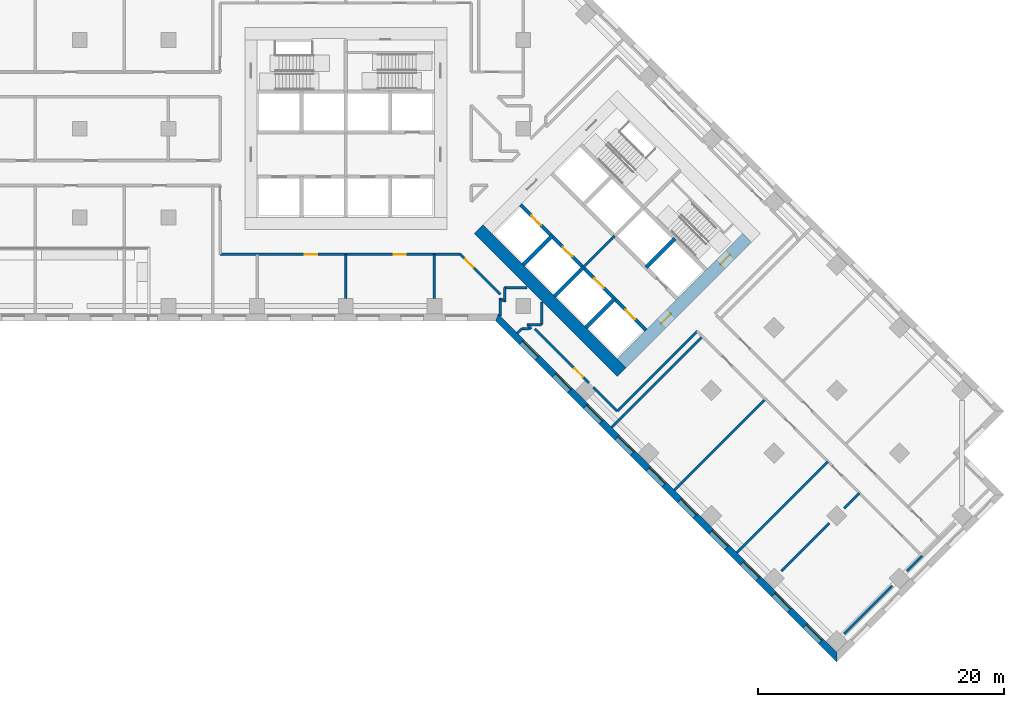
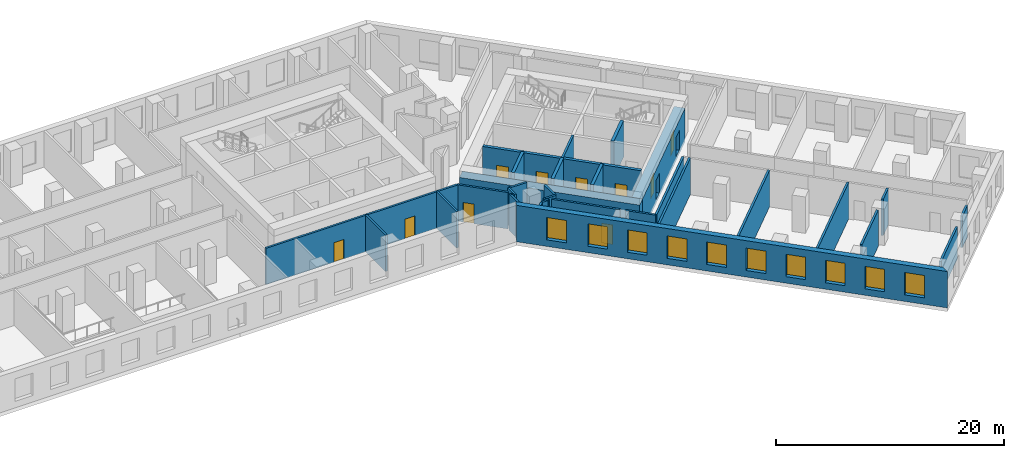
# One storey, part 6 of 12: 32 walls, 10 doors, 10 windows, 20 openings.
"""IFC4 building model written with IfcOpenShell, lengths in metres."""

from ifc_helpers import new_model, si_unit, direction, frame, frame_2d, origin, place, context, subcontext, project, spatial, polyline, rectangle, outline, extrude, material, layer, layer_set, type_object, element, fill, save


model = new_model("IFC4")

# Units and contexts
model_context = context("Model", 3, precision=1e-05, world=origin(), true_north=direction((0.0, 1.0)))
body_context = subcontext(model_context, "Body", "Model", "MODEL_VIEW")
ifc_project = project(units=[si_unit("LENGTHUNIT", "METRE"), si_unit("AREAUNIT", "SQUARE_METRE"), si_unit("VOLUMEUNIT", "CUBIC_METRE"), si_unit("PLANEANGLEUNIT", "RADIAN"), si_unit("MASSUNIT", "GRAM", prefix="KILO")], contexts=[model_context])

# Site, building, storey
site_placement = place(None, origin())
site = spatial("IfcSite", under=ifc_project, at=site_placement, CompositionType="ELEMENT")
building_placement = place(site_placement, origin())
building = spatial("IfcBuilding", under=site, at=building_placement, Name="Windrow Commons", CompositionType="ELEMENT")
storey_placement = place(building_placement, frame((0.0, 0.0, 22.8)))
storey = spatial("IfcBuildingStorey", under=building, at=storey_placement, Name="L05", CompositionType="ELEMENT", Elevation=22.8)

# Wall, openings, windows
ifc_material_1 = material(Name="Brick masonry, red clay brick", Category="masonry")
ifc_layer_1 = layer(ifc_material_1, 0.55)
ifc_layer_set_1 = layer_set([ifc_layer_1], Name="Brick facade wall 550")
wall_type_1 = type_object("IfcWallType", Name="Brick facade wall 550", PredefinedType="SOLIDWALL", material=ifc_layer_set_1)
wall_1_placement = place(storey_placement, frame((77.0698, 42.275, 0.0), z_axis=(0.0, 0.0, 1.0), x_axis=(0.7071067812, -0.7071067812, 0.0)))
wall_1 = element("IfcWall", 1, at=wall_1_placement, inside=storey, type_object=wall_type_1, Name="Brick facade wall L05 12", PredefinedType="SOLIDWALL", context=body_context, shape_type="SweptSolid", body=[
    extrude(outline(polyline([(0.1139, -0.275), (39.2875, -0.275), (38.7375, 0.275), (-0.1139, 0.275), (0.1139, -0.275)])), origin(), (0.0, 0.0, 1.0), 3.9),
])
opening_1_placement = place(wall_1_placement, frame((2.8375, 0.0, 0.7)))
opening_1 = element("IfcOpeningElement", 2, at=opening_1_placement, cuts=wall_1, Name="Opening W2B", PredefinedType="OPENING", context=body_context, shape_type="SweptSolid", body=[
    extrude(rectangle(XDim=1.8, YDim=2.4, at=frame_2d((0.9, 1.2))), frame((0.0, 0.285, 0.0), z_axis=(0.0, -1.0, 0.0), x_axis=(1.0, 0.0, 0.0)), (0.0, 0.0, 1.0), 0.57),
])
opening_2_placement = place(wall_1_placement, frame((6.5875, 0.0, 0.7)))
opening_2 = element("IfcOpeningElement", 3, at=opening_2_placement, cuts=wall_1, Name="Opening W2B", PredefinedType="OPENING", context=body_context, shape_type="SweptSolid", body=[
    extrude(rectangle(XDim=1.8, YDim=2.4, at=frame_2d((0.9, 1.2))), frame((0.0, 0.285, 0.0), z_axis=(0.0, -1.0, 0.0), x_axis=(1.0, 0.0, 0.0)), (0.0, 0.0, 1.0), 0.57),
])
opening_3_placement = place(wall_1_placement, frame((10.1875, 0.0, 0.7)))
opening_3 = element("IfcOpeningElement", 4, at=opening_3_placement, cuts=wall_1, Name="Opening W2B", PredefinedType="OPENING", context=body_context, shape_type="SweptSolid", body=[
    extrude(rectangle(XDim=1.8, YDim=2.4, at=frame_2d((0.9, 1.2))), frame((0.0, 0.285, 0.0), z_axis=(0.0, -1.0, 0.0), x_axis=(1.0, 0.0, 0.0)), (0.0, 0.0, 1.0), 0.57),
])
opening_4_placement = place(wall_1_placement, frame((13.7875, 0.0, 0.7)))
opening_4 = element("IfcOpeningElement", 5, at=opening_4_placement, cuts=wall_1, Name="Opening W2B", PredefinedType="OPENING", context=body_context, shape_type="SweptSolid", body=[
    extrude(rectangle(XDim=1.8, YDim=2.4, at=frame_2d((0.9, 1.2))), frame((0.0, 0.285, 0.0), z_axis=(0.0, -1.0, 0.0), x_axis=(1.0, 0.0, 0.0)), (0.0, 0.0, 1.0), 0.57),
])
opening_5_placement = place(wall_1_placement, frame((17.3875, 0.0, 0.7)))
opening_5 = element("IfcOpeningElement", 6, at=opening_5_placement, cuts=wall_1, Name="Opening W2B", PredefinedType="OPENING", context=body_context, shape_type="SweptSolid", body=[
    extrude(rectangle(XDim=1.8, YDim=2.4, at=frame_2d((0.9, 1.2))), frame((0.0, 0.285, 0.0), z_axis=(0.0, -1.0, 0.0), x_axis=(1.0, 0.0, 0.0)), (0.0, 0.0, 1.0), 0.57),
])
opening_6_placement = place(wall_1_placement, frame((20.9875, 0.0, 0.7)))
opening_6 = element("IfcOpeningElement", 7, at=opening_6_placement, cuts=wall_1, Name="Opening W2B", PredefinedType="OPENING", context=body_context, shape_type="SweptSolid", body=[
    extrude(rectangle(XDim=1.8, YDim=2.4, at=frame_2d((0.9, 1.2))), frame((0.0, 0.285, 0.0), z_axis=(0.0, -1.0, 0.0), x_axis=(1.0, 0.0, 0.0)), (0.0, 0.0, 1.0), 0.57),
])
opening_7_placement = place(wall_1_placement, frame((24.5875, 0.0, 0.7)))
opening_7 = element("IfcOpeningElement", 8, at=opening_7_placement, cuts=wall_1, Name="Opening W2B", PredefinedType="OPENING", context=body_context, shape_type="SweptSolid", body=[
    extrude(rectangle(XDim=1.8, YDim=2.4, at=frame_2d((0.9, 1.2))), frame((0.0, 0.285, 0.0), z_axis=(0.0, -1.0, 0.0), x_axis=(1.0, 0.0, 0.0)), (0.0, 0.0, 1.0), 0.57),
])
opening_8_placement = place(wall_1_placement, frame((28.1875, 0.0, 0.7)))
opening_8 = element("IfcOpeningElement", 9, at=opening_8_placement, cuts=wall_1, Name="Opening W2B", PredefinedType="OPENING", context=body_context, shape_type="SweptSolid", body=[
    extrude(rectangle(XDim=1.8, YDim=2.4, at=frame_2d((0.9, 1.2))), frame((0.0, 0.285, 0.0), z_axis=(0.0, -1.0, 0.0), x_axis=(1.0, 0.0, 0.0)), (0.0, 0.0, 1.0), 0.57),
])
opening_9_placement = place(wall_1_placement, frame((31.7875, 0.0, 0.7)))
opening_9 = element("IfcOpeningElement", 10, at=opening_9_placement, cuts=wall_1, Name="Opening W2B", PredefinedType="OPENING", context=body_context, shape_type="SweptSolid", body=[
    extrude(rectangle(XDim=1.8, YDim=2.4, at=frame_2d((0.9, 1.2))), frame((0.0, 0.285, 0.0), z_axis=(0.0, -1.0, 0.0), x_axis=(1.0, 0.0, 0.0)), (0.0, 0.0, 1.0), 0.57),
])
opening_10_placement = place(wall_1_placement, frame((35.3875, 0.0, 0.7)))
opening_10 = element("IfcOpeningElement", 11, at=opening_10_placement, cuts=wall_1, Name="Opening W2B", PredefinedType="OPENING", context=body_context, shape_type="SweptSolid", body=[
    extrude(rectangle(XDim=1.8, YDim=2.4, at=frame_2d((0.9, 1.2))), frame((0.0, 0.285, 0.0), z_axis=(0.0, -1.0, 0.0), x_axis=(1.0, 0.0, 0.0)), (0.0, 0.0, 1.0), 0.57),
])
ifc_material_2 = material(Name="Clear float glass in anodised aluminium frame", Category="aluminium")
window_type = type_object("IfcWindowType", Name="Window W2 podium 1800x2400", PartitioningType="SINGLE_PANEL", PredefinedType="WINDOW", material=ifc_material_2)
window_1_placement = place(opening_1_placement, origin())
window_1 = element("IfcWindow", 12, at=window_1_placement, inside=storey, type_object=window_type, Name="Window L05 12.1", OverallHeight=2.4, OverallWidth=1.8, PartitioningType="SINGLE_PANEL", PredefinedType="WINDOW", context=body_context, shape_type="SweptSolid", body=[
    extrude(rectangle(XDim=1.8, YDim=2.4, at=frame_2d((0.9, 1.2))), frame((0.0, 0.155, 0.0), z_axis=(0.0, -1.0, 0.0), x_axis=(1.0, 0.0, 0.0)), (0.0, 0.0, 1.0), 0.06),
])
fill(opening_1, window_1)
window_2_placement = place(opening_2_placement, origin())
window_2 = element("IfcWindow", 13, at=window_2_placement, inside=storey, type_object=window_type, Name="Window L05 12.2", OverallHeight=2.4, OverallWidth=1.8, PartitioningType="SINGLE_PANEL", PredefinedType="WINDOW", context=body_context, shape_type="SweptSolid", body=[
    extrude(rectangle(XDim=1.8, YDim=2.4, at=frame_2d((0.9, 1.2))), frame((0.0, 0.155, 0.0), z_axis=(0.0, -1.0, 0.0), x_axis=(1.0, 0.0, 0.0)), (0.0, 0.0, 1.0), 0.06),
])
fill(opening_2, window_2)
window_3_placement = place(opening_3_placement, origin())
window_3 = element("IfcWindow", 14, at=window_3_placement, inside=storey, type_object=window_type, Name="Window L05 12.3", OverallHeight=2.4, OverallWidth=1.8, PartitioningType="SINGLE_PANEL", PredefinedType="WINDOW", context=body_context, shape_type="SweptSolid", body=[
    extrude(rectangle(XDim=1.8, YDim=2.4, at=frame_2d((0.9, 1.2))), frame((0.0, 0.155, 0.0), z_axis=(0.0, -1.0, 0.0), x_axis=(1.0, 0.0, 0.0)), (0.0, 0.0, 1.0), 0.06),
])
fill(opening_3, window_3)
window_4_placement = place(opening_4_placement, origin())
window_4 = element("IfcWindow", 15, at=window_4_placement, inside=storey, type_object=window_type, Name="Window L05 12.4", OverallHeight=2.4, OverallWidth=1.8, PartitioningType="SINGLE_PANEL", PredefinedType="WINDOW", context=body_context, shape_type="SweptSolid", body=[
    extrude(rectangle(XDim=1.8, YDim=2.4, at=frame_2d((0.9, 1.2))), frame((0.0, 0.155, 0.0), z_axis=(0.0, -1.0, 0.0), x_axis=(1.0, 0.0, 0.0)), (0.0, 0.0, 1.0), 0.06),
])
fill(opening_4, window_4)
window_5_placement = place(opening_5_placement, origin())
window_5 = element("IfcWindow", 16, at=window_5_placement, inside=storey, type_object=window_type, Name="Window L05 12.5", OverallHeight=2.4, OverallWidth=1.8, PartitioningType="SINGLE_PANEL", PredefinedType="WINDOW", context=body_context, shape_type="SweptSolid", body=[
    extrude(rectangle(XDim=1.8, YDim=2.4, at=frame_2d((0.9, 1.2))), frame((0.0, 0.155, 0.0), z_axis=(0.0, -1.0, 0.0), x_axis=(1.0, 0.0, 0.0)), (0.0, 0.0, 1.0), 0.06),
])
fill(opening_5, window_5)
window_6_placement = place(opening_6_placement, origin())
window_6 = element("IfcWindow", 17, at=window_6_placement, inside=storey, type_object=window_type, Name="Window L05 12.6", OverallHeight=2.4, OverallWidth=1.8, PartitioningType="SINGLE_PANEL", PredefinedType="WINDOW", context=body_context, shape_type="SweptSolid", body=[
    extrude(rectangle(XDim=1.8, YDim=2.4, at=frame_2d((0.9, 1.2))), frame((0.0, 0.155, 0.0), z_axis=(0.0, -1.0, 0.0), x_axis=(1.0, 0.0, 0.0)), (0.0, 0.0, 1.0), 0.06),
])
fill(opening_6, window_6)
window_7_placement = place(opening_7_placement, origin())
window_7 = element("IfcWindow", 18, at=window_7_placement, inside=storey, type_object=window_type, Name="Window L05 12.7", OverallHeight=2.4, OverallWidth=1.8, PartitioningType="SINGLE_PANEL", PredefinedType="WINDOW", context=body_context, shape_type="SweptSolid", body=[
    extrude(rectangle(XDim=1.8, YDim=2.4, at=frame_2d((0.9, 1.2))), frame((0.0, 0.155, 0.0), z_axis=(0.0, -1.0, 0.0), x_axis=(1.0, 0.0, 0.0)), (0.0, 0.0, 1.0), 0.06),
])
fill(opening_7, window_7)
window_8_placement = place(opening_8_placement, origin())
window_8 = element("IfcWindow", 19, at=window_8_placement, inside=storey, type_object=window_type, Name="Window L05 12.8", OverallHeight=2.4, OverallWidth=1.8, PartitioningType="SINGLE_PANEL", PredefinedType="WINDOW", context=body_context, shape_type="SweptSolid", body=[
    extrude(rectangle(XDim=1.8, YDim=2.4, at=frame_2d((0.9, 1.2))), frame((0.0, 0.155, 0.0), z_axis=(0.0, -1.0, 0.0), x_axis=(1.0, 0.0, 0.0)), (0.0, 0.0, 1.0), 0.06),
])
fill(opening_8, window_8)
window_9_placement = place(opening_9_placement, origin())
window_9 = element("IfcWindow", 20, at=window_9_placement, inside=storey, type_object=window_type, Name="Window L05 12.9", OverallHeight=2.4, OverallWidth=1.8, PartitioningType="SINGLE_PANEL", PredefinedType="WINDOW", context=body_context, shape_type="SweptSolid", body=[
    extrude(rectangle(XDim=1.8, YDim=2.4, at=frame_2d((0.9, 1.2))), frame((0.0, 0.155, 0.0), z_axis=(0.0, -1.0, 0.0), x_axis=(1.0, 0.0, 0.0)), (0.0, 0.0, 1.0), 0.06),
])
fill(opening_9, window_9)
window_10_placement = place(opening_10_placement, origin())
window_10 = element("IfcWindow", 21, at=window_10_placement, inside=storey, type_object=window_type, Name="Window L05 12.10", OverallHeight=2.4, OverallWidth=1.8, PartitioningType="SINGLE_PANEL", PredefinedType="WINDOW", context=body_context, shape_type="SweptSolid", body=[
    extrude(rectangle(XDim=1.8, YDim=2.4, at=frame_2d((0.9, 1.2))), frame((0.0, 0.155, 0.0), z_axis=(0.0, -1.0, 0.0), x_axis=(1.0, 0.0, 0.0)), (0.0, 0.0, 1.0), 0.06),
])
fill(opening_10, window_10)

# Wall
ifc_material_3 = material(Name="Blockwork partition", Category="masonry")
ifc_layer_2 = layer(ifc_material_3, 0.2)
ifc_layer_set_2 = layer_set([ifc_layer_2], Name="Fire lobby partition 200")
wall_type_2 = type_object("IfcWallType", Name="Fire lobby partition 200", PredefinedType="PARTITIONING", material=ifc_layer_set_2)
wall_2_placement = place(storey_placement, frame((84.079, 46.332, 0.0), z_axis=(0.0, 0.0, 1.0), x_axis=(0.7071067812, 0.7071067812, 0.0)))
element("IfcWall", 22, at=wall_2_placement, inside=storey, type_object=wall_type_2, Name="W-core-lobby-B-L05", PredefinedType="PARTITIONING", context=body_context, shape_type="SweptSolid", body=[
    extrude(rectangle(XDim=3.6, YDim=0.2, at=frame_2d((1.8, 0.0))), origin(), (0.0, 0.0, 1.0), 3.9),
])

# Wall, openings, doors
ifc_material_4 = material(Name="Blockwork partition", Category="masonry")
ifc_layer_3 = layer(ifc_material_4, 0.2)
ifc_layer_set_3 = layer_set([ifc_layer_3], Name="IW-CORRIDOR-200")
wall_type_3 = type_object("IfcWallType", Name="IW-CORRIDOR-200", PredefinedType="PARTITIONING", material=ifc_layer_set_3)
wall_3_placement = place(storey_placement, frame((54.6, 47.4, 0.0), z_axis=(0.0, 0.0, 1.0), x_axis=(1.0, 0.0, 0.0)))
wall_3 = element("IfcWall", 23, at=wall_3_placement, inside=storey, type_object=wall_type_3, Name="W-L05-W005", PredefinedType="PARTITIONING", context=body_context, shape_type="SweptSolid", body=[
    extrude(rectangle(XDim=19.502, YDim=0.2, at=frame_2d((9.751, 0.0))), origin(), (0.0, 0.0, 1.0), 3.9),
])
opening_11_placement = place(wall_3_placement, frame((6.8862, 0.0, 0.0)))
opening_11 = element("IfcOpeningElement", 24, at=opening_11_placement, cuts=wall_3, Name="Opening D310F", PredefinedType="OPENING", context=body_context, shape_type="SweptSolid", body=[
    extrude(rectangle(XDim=1.0, YDim=2.1, at=frame_2d((0.5, 1.05))), frame((0.0, 0.11, 0.0), z_axis=(0.0, -1.0, 0.0), x_axis=(1.0, 0.0, 0.0)), (0.0, 0.0, 1.0), 0.22),
])
opening_12_placement = place(wall_3_placement, frame((14.0862, 0.0, 0.0)))
opening_12 = element("IfcOpeningElement", 25, at=opening_12_placement, cuts=wall_3, Name="Opening D310F", PredefinedType="OPENING", context=body_context, shape_type="SweptSolid", body=[
    extrude(rectangle(XDim=1.0, YDim=2.1, at=frame_2d((0.5, 1.05))), frame((0.0, 0.11, 0.0), z_axis=(0.0, -1.0, 0.0), x_axis=(1.0, 0.0, 0.0)), (0.0, 0.0, 1.0), 0.22),
])
ifc_material_5 = material(Name="Timber door leaf", Category="wood")
door_type_1 = type_object("IfcDoorType", Name="DT-AMENITY-1000", OperationType="SINGLE_SWING_LEFT", PredefinedType="DOOR", material=ifc_material_5)
door_1_placement = place(opening_11_placement, origin())
door_1 = element("IfcDoor", 26, at=door_1_placement, inside=storey, type_object=door_type_1, Name="D-L05-D008", OperationType="SINGLE_SWING_LEFT", OverallHeight=2.1, OverallWidth=1.0, PredefinedType="DOOR", context=body_context, shape_type="SweptSolid", body=[
    extrude(rectangle(XDim=1.0, YDim=2.1, at=frame_2d((0.5, 1.05))), frame((0.0, 0.025, 0.0), z_axis=(0.0, -1.0, 0.0), x_axis=(1.0, 0.0, 0.0)), (0.0, 0.0, 1.0), 0.05),
])
fill(opening_11, door_1)
door_2_placement = place(opening_12_placement, origin())
door_2 = element("IfcDoor", 27, at=door_2_placement, inside=storey, type_object=door_type_1, Name="D-L05-D009", OperationType="SINGLE_SWING_LEFT", OverallHeight=2.1, OverallWidth=1.0, PredefinedType="DOOR", context=body_context, shape_type="SweptSolid", body=[
    extrude(rectangle(XDim=1.0, YDim=2.1, at=frame_2d((0.5, 1.05))), frame((0.0, 0.025, 0.0), z_axis=(0.0, -1.0, 0.0), x_axis=(1.0, 0.0, 0.0)), (0.0, 0.0, 1.0), 0.05),
])
fill(opening_12, door_2)

# Wall
wall_4_placement = place(storey_placement, frame((86.8372, 34.6668, 0.0), z_axis=(0.0, 0.0, 1.0), x_axis=(0.7071067812, 0.7071067812, 0.0)))
element("IfcWall", 28, at=wall_4_placement, inside=storey, type_object=wall_type_3, Name="W-L05-W030", PredefinedType="PARTITIONING", context=body_context, shape_type="SweptSolid", body=[
    extrude(rectangle(XDim=9.198, YDim=0.2, at=frame_2d((4.599, 0.0))), origin(), (0.0, 0.0, 1.0), 3.9),
])

# Wall, opening, door
wall_5_placement = place(storey_placement, frame((80.1485, 41.3465, 0.0), z_axis=(0.0, 0.0, 1.0), x_axis=(0.7071067812, -0.7071067812, 0.0)))
wall_5 = element("IfcWall", 29, at=wall_5_placement, inside=storey, type_object=wall_type_3, Name="W-L05-W040", PredefinedType="PARTITIONING", context=body_context, shape_type="SweptSolid", body=[
    extrude(rectangle(XDim=6.2056, YDim=0.2, at=frame_2d((3.1028, 0.0))), origin(), (0.0, 0.0, 1.0), 3.9),
])
opening_13_placement = place(wall_5_placement, frame((4.5407, 0.0, 0.0)))
opening_13 = element("IfcOpeningElement", 30, at=opening_13_placement, cuts=wall_5, Name="Opening D310F", PredefinedType="OPENING", context=body_context, shape_type="SweptSolid", body=[
    extrude(rectangle(XDim=1.0, YDim=2.1, at=frame_2d((0.5, 1.05))), frame((0.0, 0.11, 0.0), z_axis=(0.0, -1.0, 0.0), x_axis=(1.0, 0.0, 0.0)), (0.0, 0.0, 1.0), 0.22),
])
door_3_placement = place(opening_13_placement, origin())
door_3 = element("IfcDoor", 31, at=door_3_placement, inside=storey, type_object=door_type_1, Name="D-L05-D036", OperationType="SINGLE_SWING_RIGHT", OverallHeight=2.1, OverallWidth=1.0, PredefinedType="DOOR", context=body_context, shape_type="SweptSolid", body=[
    extrude(rectangle(XDim=1.0, YDim=2.1, at=frame_2d((0.5, 1.05))), frame((0.0, 0.025, 0.0), z_axis=(0.0, -1.0, 0.0), x_axis=(1.0, 0.0, 0.0)), (0.0, 0.0, 1.0), 0.05),
])
fill(opening_13, door_3)

wall_6_placement = place(storey_placement, frame((74.0985, 47.3965, 0.0), z_axis=(0.0, 0.0, 1.0), x_axis=(0.7071067812, -0.7071067812, 0.0)))
wall_6 = element("IfcWall", 32, at=wall_6_placement, inside=storey, type_object=wall_type_3, Name="W-L05-W054", PredefinedType="PARTITIONING", context=body_context, shape_type="SweptSolid", body=[
    extrude(rectangle(XDim=4.5934, YDim=0.2, at=frame_2d((2.2967, 0.0))), origin(), (0.0, 0.0, 1.0), 3.9),
])
opening_14_placement = place(wall_6_placement, frame((0.5209, 0.0, 0.0)))
opening_14 = element("IfcOpeningElement", 33, at=opening_14_placement, cuts=wall_6, Name="Opening D310F", PredefinedType="OPENING", context=body_context, shape_type="SweptSolid", body=[
    extrude(rectangle(XDim=1.0, YDim=2.1, at=frame_2d((0.5, 1.05))), frame((0.0, 0.11, 0.0), z_axis=(0.0, -1.0, 0.0), x_axis=(1.0, 0.0, 0.0)), (0.0, 0.0, 1.0), 0.22),
])
door_4_placement = place(opening_14_placement, origin())
door_4 = element("IfcDoor", 34, at=door_4_placement, inside=storey, type_object=door_type_1, Name="D-L05-D010", OperationType="SINGLE_SWING_LEFT", OverallHeight=2.1, OverallWidth=1.0, PredefinedType="DOOR", context=body_context, shape_type="SweptSolid", body=[
    extrude(rectangle(XDim=1.0, YDim=2.1, at=frame_2d((0.5, 1.05))), frame((0.0, 0.025, 0.0), z_axis=(0.0, -1.0, 0.0), x_axis=(1.0, 0.0, 0.0)), (0.0, 0.0, 1.0), 0.05),
])
fill(opening_14, door_4)

# Walls
wall_7_placement = place(storey_placement, frame((86.8369, 34.6669, 0.0), z_axis=(0.0, 0.0, 1.0), x_axis=(-0.7071795251, 0.7070340298, 0.0)))
element("IfcWall", 35, at=wall_7_placement, inside=storey, type_object=wall_type_3, Name="W-L05-W071", PredefinedType="PARTITIONING", context=body_context, shape_type="SweptSolid", body=[
    extrude(rectangle(XDim=2.7492, YDim=0.2, at=frame_2d((1.3746, 0.0))), origin(), (0.0, 0.0, 1.0), 3.9),
])
for number, where, z_axis, x_axis, name in (
    (36, (77.702, 44.7, 0.0), (0.0, 0.0, 1.0), (1.0, 0.0, 0.0), "W-L05-W089"),
    (37, (80.7, 41.702, 0.0), (0.0, 0.0, 1.0), (0.0, 1.0, 0.0), "W-L05-W090"),
):
    element("IfcWall", number, at=place(storey_placement, frame(where, z_axis=z_axis, x_axis=x_axis)), inside=storey, type_object=wall_type_3, Name=name, PredefinedType="PARTITIONING", context=body_context, shape_type="SweptSolid", body=[
        extrude(rectangle(XDim=1.814, YDim=0.2, at=frame_2d((0.907, 0.0))), origin(), (0.0, 0.0, 1.0), 3.9),
    ])
for number, where, z_axis, x_axis, name in (
    (38, (77.7, 43.518, 0.0), (0.0, 0.0, 1.0), (0.0, 1.0, 0.0), "W-L05-W103"),
    (39, (79.518, 41.7, 0.0), (0.0, 0.0, 1.0), (1.0, 0.0, 0.0), "W-L05-W104"),
):
    element("IfcWall", number, at=place(storey_placement, frame(where, z_axis=z_axis, x_axis=x_axis)), inside=storey, type_object=wall_type_3, Name=name, PredefinedType="PARTITIONING", context=body_context, shape_type="SweptSolid", body=[
        extrude(rectangle(XDim=1.182, YDim=0.2, at=frame_2d((0.591, 0.0))), origin(), (0.0, 0.0, 1.0), 3.9),
    ])
wall_8_placement = place(storey_placement, frame((79.607, 41.6052, 0.0), z_axis=(0.0, 0.0, 1.0), x_axis=(0.7071067812, -0.7071067812, 0.0)))
element("IfcWall", 40, at=wall_8_placement, inside=storey, type_object=wall_type_3, Name="W-L05-W112", PredefinedType="PARTITIONING", context=body_context, shape_type="SweptSolid", body=[
    extrude(rectangle(XDim=0.365, YDim=0.2, at=frame_2d((0.1825, 0.0))), origin(), (0.0, 0.0, 1.0), 3.9),
])
wall_9_placement = place(storey_placement, frame((77.4461, 43.7661, 0.0), z_axis=(0.0, 0.0, 1.0), x_axis=(0.7071067812, -0.7071067812, 0.0)))
element("IfcWall", 41, at=wall_9_placement, inside=storey, type_object=wall_type_3, Name="W-L05-W113", PredefinedType="PARTITIONING", context=body_context, shape_type="SweptSolid", body=[
    extrude(rectangle(XDim=0.225, YDim=0.2, at=frame_2d((0.1125, 0.0))), origin(), (0.0, 0.0, 1.0), 3.9),
])
ifc_material_6 = material(Name="Blockwork partition", Category="masonry")
ifc_layer_4 = layer(ifc_material_6, 0.2)
ifc_layer_set_4 = layer_set([ifc_layer_4], Name="IW-PARTY-200")
wall_type_4 = type_object("IfcWallType", Name="IW-PARTY-200", PredefinedType="PARTITIONING", material=ifc_layer_set_4)
for number, where, z_axis, x_axis, name in (
    (42, (96.5575, 23.1762, 0.0), (0.0, 0.0, 1.0), (0.7070158648, 0.7071976859, 0.0), "W-L05-W027"),
    (43, (86.3752, 33.3585, 0.0), (0.0, 0.0, 1.0), (0.707006294, 0.7072072541, 0.0), "W-L05-W028"),
    (44, (91.4687, 28.265, 0.0), (0.0, 0.0, 1.0), (0.7072072541, 0.707006294, 0.0), "W-L05-W029"),
):
    element("IfcWall", number, at=place(storey_placement, frame(where, z_axis=z_axis, x_axis=x_axis)), inside=storey, type_object=wall_type_4, Name=name, PredefinedType="PARTITIONING", context=body_context, shape_type="SweptSolid", body=[
        extrude(rectangle(XDim=10.4498, YDim=0.2, at=frame_2d((5.2249, 0.0))), origin(), (0.0, 0.0, 1.0), 3.9),
    ])
wall_10_placement = place(storey_placement, frame((100.1634, 21.6886, 0.0), z_axis=(0.0, 0.0, 1.0), x_axis=(0.7071067812, 0.7071067812, 0.0)))
element("IfcWall", 45, at=wall_10_placement, inside=storey, type_object=wall_type_4, Name="W-L05-W047", PredefinedType="PARTITIONING", context=body_context, shape_type="SweptSolid", body=[
    extrude(rectangle(XDim=5.5041, YDim=0.2, at=frame_2d((2.7521, 0.0))), origin(), (0.0, 0.0, 1.0), 3.9),
])
wall_11_placement = place(storey_placement, frame((105.257, 16.597, 0.0), z_axis=(0.0, 0.0, 1.0), x_axis=(0.7072884866, 0.706925029, 0.0)))
element("IfcWall", 46, at=wall_11_placement, inside=storey, type_object=wall_type_4, Name="W-L05-W048", PredefinedType="PARTITIONING", context=body_context, shape_type="SweptSolid", body=[
    extrude(rectangle(XDim=5.5027, YDim=0.2, at=frame_2d((2.7513, 0.0))), origin(), (0.0, 0.0, 1.0), 3.4),
])
for number, where, z_axis, x_axis, name in (
    (47, (64.8, 43.8, 0.0), (0.0, 0.0, 1.0), (0.0, 1.0, 0.0), "W-L05-W061"),
    (48, (72.0, 43.8, 0.0), (0.0, 0.0, 1.0), (0.0, 1.0, 0.0), "W-L05-W062"),
):
    element("IfcWall", number, at=place(storey_placement, frame(where, z_axis=z_axis, x_axis=x_axis)), inside=storey, type_object=wall_type_4, Name=name, PredefinedType="PARTITIONING", context=body_context, shape_type="SweptSolid", body=[
        extrude(rectangle(XDim=3.6, YDim=0.2, at=frame_2d((1.8, 0.0))), origin(), (0.0, 0.0, 1.0), 3.9),
    ])
wall_12_placement = place(storey_placement, frame((105.2554, 26.7806, 0.0), z_axis=(0.0, 0.0, 1.0), x_axis=(0.7071067812, 0.7071067812, 0.0)))
element("IfcWall", 49, at=wall_12_placement, inside=storey, type_object=wall_type_4, Name="W-L05-W093", PredefinedType="PARTITIONING", context=body_context, shape_type="SweptSolid", body=[
    extrude(rectangle(XDim=1.7508, YDim=0.2, at=frame_2d((0.8754, 0.0))), origin(), (0.0, 0.0, 1.0), 3.9),
])
wall_13_placement = place(storey_placement, frame((110.3465, 21.6895, 0.0), z_axis=(0.0, 0.0, 1.0), x_axis=(0.7071067812, 0.7071067812, 0.0)))
element("IfcWall", 50, at=wall_13_placement, inside=storey, type_object=wall_type_4, Name="W-L05-W094", PredefinedType="PARTITIONING", context=body_context, shape_type="SweptSolid", body=[
    extrude(rectangle(XDim=1.7508, YDim=0.2, at=frame_2d((0.8754, 0.0))), origin(), (0.0, 0.0, 1.0), 3.4),
])
wall_14_placement = place(storey_placement, frame((77.35, 42.3837, 0.0), z_axis=(0.0, 0.0, 1.0), x_axis=(0.0, 1.0, 0.0)))
element("IfcWall", 51, at=wall_14_placement, inside=storey, type_object=wall_type_4, Name="W-L05-W096", PredefinedType="PARTITIONING", context=body_context, shape_type="SweptSolid", body=[
    extrude(rectangle(XDim=1.4843, YDim=0.2, at=frame_2d((0.7421, 0.0))), origin(), (0.0, 0.0, 1.0), 3.9),
])
wall_15_placement = place(storey_placement, frame((79.098, 41.35, 0.0), z_axis=(0.0, 0.0, 1.0), x_axis=(1.0, 0.0, 0.0)))
element("IfcWall", 52, at=wall_15_placement, inside=storey, type_object=wall_type_4, Name="W-L05-W108", PredefinedType="PARTITIONING", context=body_context, shape_type="SweptSolid", body=[
    extrude(rectangle(XDim=0.63, YDim=0.2, at=frame_2d((0.315, 0.0))), origin(), (0.0, 0.0, 1.0), 3.9),
])
wall_16_placement = place(storey_placement, frame((78.7395, 40.9942, 0.0), z_axis=(0.0, 0.0, 1.0), x_axis=(0.7072060451, 0.7070075033, 0.0)))
element("IfcWall", 53, at=wall_16_placement, inside=storey, type_object=wall_type_4, Name="W-L05-W114", PredefinedType="PARTITIONING", context=body_context, shape_type="SweptSolid", body=[
    extrude(rectangle(XDim=0.5037, YDim=0.2, at=frame_2d((0.2519, 0.0))), origin(), (0.0, 0.0, 1.0), 3.9),
])
ifc_material_7 = material(Name="Concrete C60/75", Category="concrete")
ifc_layer_5 = layer(ifc_material_7, 1.0)
ifc_layer_set_5 = layer_set([ifc_layer_5], Name="RC CORE WALL 1000 C60/75")
wall_type_5 = type_object("IfcWallType", Name="RC CORE WALL 1000 C60/75", PredefinedType="SHEAR", material=ifc_layer_set_5)
wall_17_placement = place(storey_placement, frame((75.5938, 49.4433, -0.4), z_axis=(0.0, 0.0, 1.0), x_axis=(0.7071037324, -0.70710983, 0.0)))
element("IfcWall", 54, at=wall_17_placement, inside=storey, type_object=wall_type_5, Name="Core B wall outer-S", PredefinedType="SHEAR", context=body_context, shape_type="SweptSolid", body=[
    extrude(rectangle(XDim=16.4, YDim=1.0, at=frame_2d((8.2, 0.0))), origin(), (0.0, 0.0, 1.0), 3.6),
])

# Wall, openings, doors
wall_18_placement = place(storey_placement, frame((87.1903, 38.5538, -0.4), z_axis=(0.0, 0.0, 1.0), x_axis=(0.707103309, 0.7071102534, 0.0)))
wall_18 = element("IfcWall", 55, at=wall_18_placement, inside=storey, type_object=wall_type_5, Name="Core B wall outer-E", PredefinedType="SHEAR", context=body_context, shape_type="SweptSolid", body=[
    extrude(rectangle(XDim=14.4, YDim=1.0, at=frame_2d((7.2, 0.0))), origin(), (0.0, 0.0, 1.0), 3.6),
])
opening_15_placement = place(wall_18_placement, frame((4.55, 0.0, 0.4)))
opening_15 = element("IfcOpeningElement", 56, at=opening_15_placement, cuts=wall_18, Name="Opening D6", PredefinedType="OPENING", context=body_context, shape_type="SweptSolid", body=[
    extrude(rectangle(XDim=1.1, YDim=2.1, at=frame_2d((0.55, 1.05))), frame((0.0, 0.51, 0.0), z_axis=(0.0, -1.0, 0.0), x_axis=(1.0, 0.0, 0.0)), (0.0, 0.0, 1.0), 1.02),
])
opening_16_placement = place(wall_18_placement, frame((11.35, 0.0, 0.4)))
opening_16 = element("IfcOpeningElement", 57, at=opening_16_placement, cuts=wall_18, Name="Opening D7", PredefinedType="OPENING", context=body_context, shape_type="SweptSolid", body=[
    extrude(rectangle(XDim=1.1, YDim=2.1, at=frame_2d((0.55, 1.05))), frame((0.0, 0.51, 0.0), z_axis=(0.0, -1.0, 0.0), x_axis=(1.0, 0.0, 0.0)), (0.0, 0.0, 1.0), 1.02),
])
ifc_material_8 = material(Name="Steel fire door leaf", Category="steel")
door_type_2 = type_object("IfcDoorType", Name="Core lobby door 1100", OperationType="SINGLE_SWING_LEFT", PredefinedType="DOOR", material=ifc_material_8)
door_5_placement = place(opening_15_placement, origin())
door_5 = element("IfcDoor", 58, at=door_5_placement, inside=storey, type_object=door_type_2, Name="Lift lobby door", OperationType="DOUBLE_DOOR_SINGLE_SWING", OverallHeight=2.1, OverallWidth=1.1, PredefinedType="DOOR", context=body_context, shape_type="SweptSolid", body=[
    extrude(rectangle(XDim=1.1, YDim=2.1, at=frame_2d((0.55, 1.05))), frame((0.0, 0.025, 0.0), z_axis=(0.0, -1.0, 0.0), x_axis=(1.0, 0.0, 0.0)), (0.0, 0.0, 1.0), 0.05),
])
fill(opening_15, door_5)
ifc_material_9 = material(Name="Steel fire door leaf", Category="steel")
door_type_3 = type_object("IfcDoorType", Name="Stair door 1100", OperationType="SINGLE_SWING_LEFT", PredefinedType="DOOR", material=ifc_material_9)
door_6_placement = place(opening_16_placement, origin())
door_6 = element("IfcDoor", 59, at=door_6_placement, inside=storey, type_object=door_type_3, Name="Stair door", OperationType="SINGLE_SWING_RIGHT", OverallHeight=2.1, OverallWidth=1.1, PredefinedType="DOOR", context=body_context, shape_type="SweptSolid", body=[
    extrude(rectangle(XDim=1.1, YDim=2.1, at=frame_2d((0.55, 1.05))), frame((0.0, 0.025, 0.0), z_axis=(0.0, -1.0, 0.0), x_axis=(1.0, 0.0, 0.0)), (0.0, 0.0, 1.0), 0.05),
])
fill(opening_16, door_6)

# Walls
ifc_material_10 = material(Name="Concrete C60/75", Category="concrete")
ifc_layer_6 = layer(ifc_material_10, 0.3)
ifc_layer_set_6 = layer_set([ifc_layer_6], Name="RC SHAFT WALL 300 C60/75")
wall_type_6 = type_object("IfcWallType", Name="RC SHAFT WALL 300 C60/75", PredefinedType="SOLIDWALL", material=ifc_layer_set_6)
wall_19_placement = place(storey_placement, frame((79.2, 46.5442, 0.0), z_axis=(0.0, 0.0, 1.0), x_axis=(0.7071219326, 0.7070916295, 0.0)))
element("IfcWall", 60, at=wall_19_placement, inside=storey, type_object=wall_type_6, Name="Core B wall shaft-S1", PredefinedType="SOLIDWALL", context=body_context, shape_type="SweptSolid", body=[
    extrude(rectangle(XDim=3.3, YDim=0.3, at=frame_2d((1.65, 0.0))), origin(), (0.0, 0.0, 1.0), 3.9),
])
for number, where, z_axis, x_axis, name in (
    (61, (81.7456, 43.9986, 0.0), (0.0, 0.0, 1.0), (0.7071067812, 0.7071067812, 0.0), "Core B wall shaft-S2"),
    (62, (84.2912, 41.453, 0.0), (0.0, 0.0, 1.0), (0.7071067812, 0.7071067812, 0.0), "Core B wall shaft-S3"),
):
    element("IfcWall", number, at=place(storey_placement, frame(where, z_axis=z_axis, x_axis=x_axis)), inside=storey, type_object=wall_type_6, Name=name, PredefinedType="SOLIDWALL", context=body_context, shape_type="SweptSolid", body=[
        extrude(rectangle(XDim=3.2999, YDim=0.3, at=frame_2d((1.65, 0.0))), origin(), (0.0, 0.0, 1.0), 3.9),
    ])
wall_20_placement = place(storey_placement, frame((89.1702, 46.332, 0.0), z_axis=(0.0, 0.0, 1.0), x_axis=(0.7071067812, 0.7071067812, 0.0)))
element("IfcWall", 63, at=wall_20_placement, inside=storey, type_object=wall_type_6, Name="Core B wall shaft-N3", PredefinedType="SOLIDWALL", context=body_context, shape_type="SweptSolid", body=[
    extrude(rectangle(XDim=3.3001, YDim=0.3, at=frame_2d((1.6501, 0.0))), origin(), (0.0, 0.0, 1.0), 3.9),
])

# Wall, openings, doors
wall_21_placement = place(storey_placement, frame((78.9879, 51.4232, 0.0), z_axis=(0.0, 0.0, 1.0), x_axis=(0.7071067812, -0.7071067812, 0.0)))
wall_21 = element("IfcWall", 64, at=wall_21_placement, inside=storey, type_object=wall_type_6, Name="Core B wall lobby-S", PredefinedType="SOLIDWALL", context=body_context, shape_type="SweptSolid", body=[
    extrude(rectangle(XDim=14.3999, YDim=0.3, at=frame_2d((7.2, 0.0))), origin(), (0.0, 0.0, 1.0), 3.9),
])
opening_17_placement = place(wall_21_placement, frame((1.25, 0.0, 0.0)))
opening_17 = element("IfcOpeningElement", 65, at=opening_17_placement, cuts=wall_21, Name="Opening LD", PredefinedType="OPENING", context=body_context, shape_type="SweptSolid", body=[
    extrude(rectangle(XDim=1.1, YDim=2.1, at=frame_2d((0.55, 1.05))), frame((0.0, 0.16, 0.0), z_axis=(0.0, -1.0, 0.0), x_axis=(1.0, 0.0, 0.0)), (0.0, 0.0, 1.0), 0.32),
])
opening_18_placement = place(wall_21_placement, frame((4.85, 0.0, 0.0)))
opening_18 = element("IfcOpeningElement", 66, at=opening_18_placement, cuts=wall_21, Name="Opening LD", PredefinedType="OPENING", context=body_context, shape_type="SweptSolid", body=[
    extrude(rectangle(XDim=1.1, YDim=2.1, at=frame_2d((0.55, 1.05))), frame((0.0, 0.16, 0.0), z_axis=(0.0, -1.0, 0.0), x_axis=(1.0, 0.0, 0.0)), (0.0, 0.0, 1.0), 0.32),
])
opening_19_placement = place(wall_21_placement, frame((8.45, 0.0, 0.0)))
opening_19 = element("IfcOpeningElement", 67, at=opening_19_placement, cuts=wall_21, Name="Opening LD", PredefinedType="OPENING", context=body_context, shape_type="SweptSolid", body=[
    extrude(rectangle(XDim=1.1, YDim=2.1, at=frame_2d((0.55, 1.05))), frame((0.0, 0.16, 0.0), z_axis=(0.0, -1.0, 0.0), x_axis=(1.0, 0.0, 0.0)), (0.0, 0.0, 1.0), 0.32),
])
opening_20_placement = place(wall_21_placement, frame((12.05, 0.0, 0.0)))
opening_20 = element("IfcOpeningElement", 68, at=opening_20_placement, cuts=wall_21, Name="Opening LD", PredefinedType="OPENING", context=body_context, shape_type="SweptSolid", body=[
    extrude(rectangle(XDim=1.1, YDim=2.1, at=frame_2d((0.55, 1.05))), frame((0.0, 0.16, 0.0), z_axis=(0.0, -1.0, 0.0), x_axis=(1.0, 0.0, 0.0)), (0.0, 0.0, 1.0), 0.32),
])
ifc_material_11 = material(Name="Stainless steel door leaf", Category="steel")
door_type_4 = type_object("IfcDoorType", Name="Lift landing door 1100", OperationType="SLIDING_TO_LEFT", PredefinedType="DOOR", material=ifc_material_11)
door_7_placement = place(opening_17_placement, origin())
door_7 = element("IfcDoor", 69, at=door_7_placement, inside=storey, type_object=door_type_4, Name="Lift landing door", OperationType="SLIDING_TO_LEFT", OverallHeight=2.1, OverallWidth=1.1, PredefinedType="DOOR", context=body_context, shape_type="SweptSolid", body=[
    extrude(rectangle(XDim=1.1, YDim=2.1, at=frame_2d((0.55, 1.05))), frame((0.0, 0.025, 0.0), z_axis=(0.0, -1.0, 0.0), x_axis=(1.0, 0.0, 0.0)), (0.0, 0.0, 1.0), 0.05),
])
fill(opening_17, door_7)
door_8_placement = place(opening_18_placement, origin())
door_8 = element("IfcDoor", 70, at=door_8_placement, inside=storey, type_object=door_type_4, Name="Lift landing door", OperationType="SLIDING_TO_RIGHT", OverallHeight=2.1, OverallWidth=1.1, PredefinedType="DOOR", context=body_context, shape_type="SweptSolid", body=[
    extrude(rectangle(XDim=1.1, YDim=2.1, at=frame_2d((0.55, 1.05))), frame((0.0, 0.025, 0.0), z_axis=(0.0, -1.0, 0.0), x_axis=(1.0, 0.0, 0.0)), (0.0, 0.0, 1.0), 0.05),
])
fill(opening_18, door_8)
door_9_placement = place(opening_19_placement, origin())
door_9 = element("IfcDoor", 71, at=door_9_placement, inside=storey, type_object=door_type_4, Name="Lift landing door", OperationType="SLIDING_TO_LEFT", OverallHeight=2.1, OverallWidth=1.1, PredefinedType="DOOR", context=body_context, shape_type="SweptSolid", body=[
    extrude(rectangle(XDim=1.1, YDim=2.1, at=frame_2d((0.55, 1.05))), frame((0.0, 0.025, 0.0), z_axis=(0.0, -1.0, 0.0), x_axis=(1.0, 0.0, 0.0)), (0.0, 0.0, 1.0), 0.05),
])
fill(opening_19, door_9)
door_10_placement = place(opening_20_placement, origin())
door_10 = element("IfcDoor", 72, at=door_10_placement, inside=storey, type_object=door_type_4, Name="Lift landing door", OperationType="SLIDING_TO_RIGHT", OverallHeight=2.1, OverallWidth=1.1, PredefinedType="DOOR", context=body_context, shape_type="SweptSolid", body=[
    extrude(rectangle(XDim=1.1, YDim=2.1, at=frame_2d((0.55, 1.05))), frame((0.0, 0.025, 0.0), z_axis=(0.0, -1.0, 0.0), x_axis=(1.0, 0.0, 0.0)), (0.0, 0.0, 1.0), 0.05),
])
fill(opening_20, door_10)

save(model, "model.ifc")
